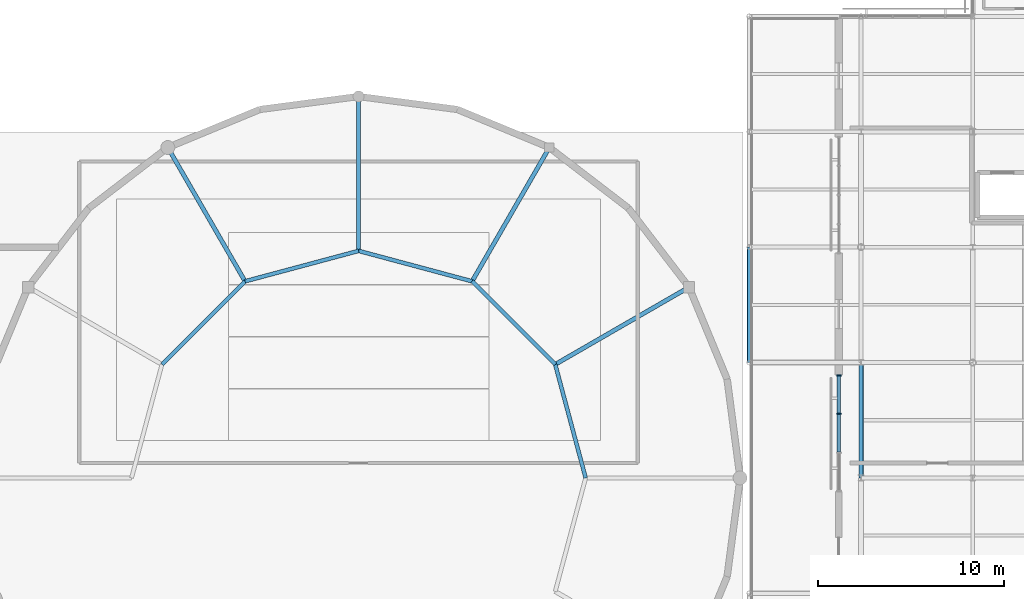
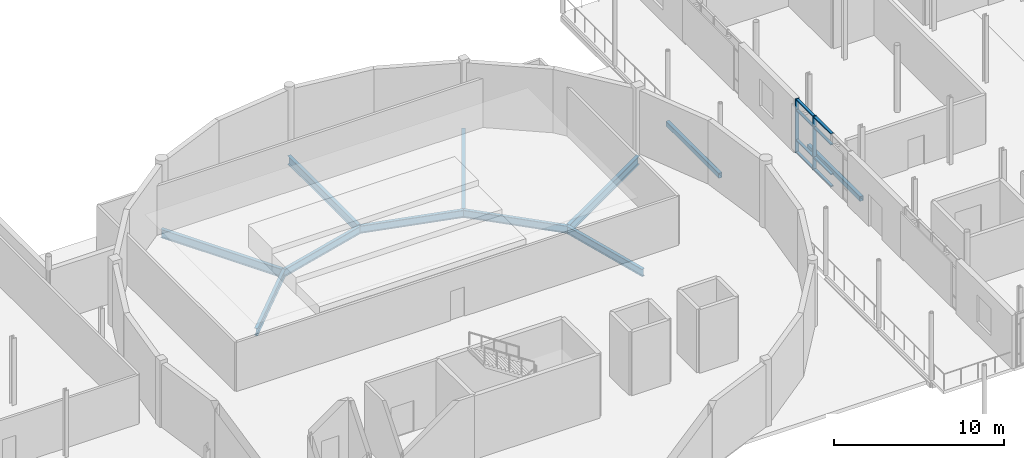
# One storey, part 33 of 84: 11 beams, 10 members, 1 element without a shape of its own.
"""IFC4 building model written with IfcOpenShell, lengths in metres."""

from ifc_helpers import new_model, si_unit, direction, frame, origin, origin_2d, place, context, subcontext, project, spatial, rectangle, hollow_rectangle, i_section, extrude, material, layer, layer_set, material_profile, profile_set, type_object, element, aggregate, save


model = new_model("IFC4")

# Units and contexts
model_context = context("Model", 3, precision=1e-05, world=origin(), true_north=direction((0.0, 1.0)))
body_context = subcontext(model_context, "Body", "Model", "MODEL_VIEW")
ifc_project = project(units=[si_unit("LENGTHUNIT", "METRE"), si_unit("AREAUNIT", "SQUARE_METRE"), si_unit("VOLUMEUNIT", "CUBIC_METRE"), si_unit("PLANEANGLEUNIT", "RADIAN"), si_unit("MASSUNIT", "GRAM", prefix="KILO")], contexts=[model_context])

# Site, building, storey
site_placement = place(None, origin())
site = spatial("IfcSite", under=ifc_project, at=site_placement, CompositionType="ELEMENT")
building_placement = place(site_placement, origin())
building = spatial("IfcBuilding", under=site, at=building_placement, Name="Mirzam Square Science Centre", CompositionType="ELEMENT")
storey_placement = place(building_placement, frame((0.0, 0.0, 10.800048828125)))
storey = spatial("IfcBuildingStorey", under=building, at=storey_placement, Name="L02", CompositionType="ELEMENT", Elevation=10.800048828125)

# Beams
ifc_material_1 = material(Name="Steel S355", Category="steel")
ifc_material_profile_1 = material_profile(ifc_material_1, i_section(OverallWidth=0.2099609375, OverallDepth=0.53662109375, WebThickness=0.0107421875, FlangeThickness=0.017333984375, FilletRadius=0.0126953125, at=origin_2d()), Name="533x210x101UB")
ifc_profile_set_1 = profile_set([ifc_material_profile_1], Name="Steel S355")
beam_type_1 = type_object("IfcBeamType", Name="BM-UB533", PredefinedType="BEAM", material=ifc_profile_set_1)
beam_1_placement = place(storey_placement, frame((93.199951171875, 62.0, -0.54833984375), z_axis=(-0.25881981979, 0.965925618712, 0.0), x_axis=(-0.965925618712, -0.25881981979, 0.0)))
element("IfcBeam", 1, at=beam_1_placement, inside=storey, type_object=beam_type_1, Name="L02 inner drum ring girder 01", PredefinedType="BEAM", context=body_context, shape_type="SweptSolid", body=[
    extrude(i_section(OverallWidth=0.2099609375, OverallDepth=0.53662109375, WebThickness=0.0107421875, FlangeThickness=0.017333984375, FilletRadius=0.0126953125, at=origin_2d()), origin(), (0.0, 0.0, 1.0), 6.315185546875),
])
beam_2_placement = place(storey_placement, frame((91.5654296875, 68.10009765625, -0.54833984375), z_axis=(-0.707106781187, 0.707106781187, 0.0), x_axis=(-0.707106781187, -0.707106781187, 0.0)))
element("IfcBeam", 2, at=beam_2_placement, inside=storey, type_object=beam_type_1, Name="L02 inner drum ring girder 02", PredefinedType="BEAM", context=body_context, shape_type="SweptSolid", body=[
    extrude(i_section(OverallWidth=0.2099609375, OverallDepth=0.53662109375, WebThickness=0.0107421875, FlangeThickness=0.017333984375, FilletRadius=0.0126953125, at=origin_2d()), origin(), (0.0, 0.0, 1.0), 6.31494140625),
])
for number, where, z_axis, x_axis, name in (
    (3, (87.10009765625, 72.5654296875, -0.54833984375), (-0.965925618712, 0.25881981979, 0.0), (-0.25881981979, -0.965925618712, 0.0), "L02 inner drum ring girder 03"),
    (4, (81.0, 74.199951171875, -0.54833984375), (-0.965925618712, -0.25881981979, 0.0), (0.25881981979, -0.965925618712, 0.0), "L02 inner drum ring girder 04"),
):
    element("IfcBeam", number, at=place(storey_placement, frame(where, z_axis=z_axis, x_axis=x_axis)), inside=storey, type_object=beam_type_1, Name=name, PredefinedType="BEAM", context=body_context, shape_type="SweptSolid", body=[
        extrude(i_section(OverallWidth=0.2099609375, OverallDepth=0.53662109375, WebThickness=0.0107421875, FlangeThickness=0.017333984375, FilletRadius=0.0126953125, at=origin_2d()), origin(), (0.0, 0.0, 1.0), 6.315185546875),
    ])
beam_3_placement = place(storey_placement, frame((74.89990234375, 72.5654296875, -0.54833984375), z_axis=(-0.707106781187, -0.707106781187, 0.0), x_axis=(0.707106781187, -0.707106781187, 0.0)))
element("IfcBeam", 5, at=beam_3_placement, inside=storey, type_object=beam_type_1, Name="L02 inner drum ring girder 05", PredefinedType="BEAM", context=body_context, shape_type="SweptSolid", body=[
    extrude(i_section(OverallWidth=0.2099609375, OverallDepth=0.53662109375, WebThickness=0.0107421875, FlangeThickness=0.017333984375, FilletRadius=0.0126953125, at=origin_2d()), origin(), (0.0, 0.0, 1.0), 6.31494140625),
])
ifc_material_profile_2 = material_profile(ifc_material_1, i_section(OverallWidth=0.22900390625, OverallDepth=0.6123046875, WebThickness=0.011962890625, FlangeThickness=0.01953125, FilletRadius=0.0126953125, at=origin_2d()), Name="610x229x125UB")
ifc_profile_set_2 = profile_set([ifc_material_profile_2], Name="Steel S355")
beam_type_2 = type_object("IfcBeamType", Name="BM-UB610", PredefinedType="BEAM", material=ifc_profile_set_2)
for number, where, z_axis, x_axis, name in (
    (6, (91.5654296875, 68.10009765625, -0.586181640625), (0.86602981871, 0.499992353047, 0.0), (-0.499992353047, 0.86602981871, 0.0), "L02 drum radial girder 02"),
    (7, (87.10009765625, 72.5654296875, -0.586181640625), (0.499992353047, 0.86602981871, 0.0), (-0.86602981871, 0.499992353047, 0.0), "L02 drum radial girder 03"),
    (8, (81.0, 74.199951171875, -0.586181640625), (0.0, 1.0, 0.0), (-1.0, 0.0, 0.0), "L02 drum radial girder 04"),
    (9, (74.89990234375, 72.5654296875, -0.586181640625), (-0.499992353047, 0.86602981871, 0.0), (-0.86602981871, -0.499992353047, 0.0), "L02 drum radial girder 05"),
):
    element("IfcBeam", number, at=place(storey_placement, frame(where, z_axis=z_axis, x_axis=x_axis)), inside=storey, type_object=beam_type_2, Name=name, PredefinedType="BEAM", context=body_context, shape_type="SweptSolid", body=[
        extrude(i_section(OverallWidth=0.22900390625, OverallDepth=0.6123046875, WebThickness=0.011962890625, FlangeThickness=0.01953125, FilletRadius=0.0126953125, at=origin_2d()), origin(), (0.0, 0.0, 1.0), 8.300048828125),
    ])

# Curtain wall, members
ifc_material_2 = material(Name="Anodised Aluminium and Low-E Solar Glass", Category="aluminium")
ifc_layer = layer(ifc_material_2, 0.239990234375)
ifc_layer_set = layer_set([ifc_layer], Name="CW-EAST-B")
curtain_wall_type = type_object("IfcCurtainWallType", Name="CW-EAST-B", PredefinedType="USERDEFINED", material=ifc_layer_set)
curtain_wall_placement = place(storey_placement, origin())
curtain_wall = element("IfcCurtainWall", 10, at=curtain_wall_placement, inside=storey, type_object=curtain_wall_type, Name="L02 unitised curtain wall 111", ObjectType="UNITISED CURTAIN WALL", PredefinedType="USERDEFINED")
ifc_material_3 = material(Name="Anodised Architectural Aluminium 6063-T6", Category="aluminium")
ifc_material_profile_3 = material_profile(ifc_material_3, rectangle(XDim=0.074951171875, YDim=0.239990234375, at=origin_2d()), Name="ALU-MULL-240x75x5")
ifc_profile_set_3 = profile_set([ifc_material_profile_3], Name="Anodised Architectural Aluminium 6063-T6")
member_type_1 = type_object("IfcMemberType", Name="CWM-240", PredefinedType="MULLION", material=ifc_profile_set_3)
member_1_placement = place(storey_placement, frame((106.800048828125, 67.507568359375, 0.0), z_axis=(0.0, 0.0, 1.0), x_axis=(0.0, -1.0, 0.0)))
member_1 = element("IfcMember", 11, at=member_1_placement, type_object=member_type_1, Name="CW-06 mullion 1", PredefinedType="MULLION", context=body_context, shape_type="SweptSolid", body=[
    extrude(rectangle(XDim=0.074951171875, YDim=0.239990234375, at=origin_2d()), origin(), (0.0, 0.0, 1.0), 3.83984375),
])
member_2_placement = place(storey_placement, frame((106.800048828125, 65.4482421875, 0.0), z_axis=(0.0, 0.0, 1.0), x_axis=(0.0, -1.0, 0.0)))
member_2 = element("IfcMember", 12, at=member_2_placement, type_object=member_type_1, Name="CW-06 mullion 2", PredefinedType="MULLION", context=body_context, shape_type="SweptSolid", body=[
    extrude(rectangle(XDim=0.074951171875, YDim=0.239990234375, at=origin_2d()), origin(), (0.0, 0.0, 1.0), 3.83984375),
])
ifc_material_profile_4 = material_profile(ifc_material_3, rectangle(XDim=0.179931640625, YDim=0.074951171875, at=origin_2d()), Name="ALU-TRAN-180x75x5")
ifc_profile_set_4 = profile_set([ifc_material_profile_4], Name="Anodised Architectural Aluminium 6063-T6")
member_type_2 = type_object("IfcMemberType", Name="CWT-180", PredefinedType="USERDEFINED", material=ifc_profile_set_4)
member_3_placement = place(storey_placement, frame((106.800048828125, 67.469970703125, 0.037353515625), z_axis=(0.0, -1.0, 0.0), x_axis=(1.0, 0.0, 0.0)))
member_3 = element("IfcMember", 13, at=member_3_placement, type_object=member_type_2, Name="CW-06 transom 1.1", ObjectType="TRANSOM", PredefinedType="USERDEFINED", context=body_context, shape_type="SweptSolid", body=[
    extrude(rectangle(XDim=0.179931640625, YDim=0.074951171875, at=origin_2d()), origin(), (0.0, 0.0, 1.0), 1.984130859375),
])
member_4_placement = place(storey_placement, frame((106.800048828125, 67.469970703125, 0.89990234375), z_axis=(0.0, -1.0, 0.0), x_axis=(1.0, 0.0, 0.0)))
member_4 = element("IfcMember", 14, at=member_4_placement, type_object=member_type_2, Name="CW-06 transom 1.2", ObjectType="TRANSOM", PredefinedType="USERDEFINED", context=body_context, shape_type="SweptSolid", body=[
    extrude(rectangle(XDim=0.179931640625, YDim=0.074951171875, at=origin_2d()), origin(), (0.0, 0.0, 1.0), 1.984130859375),
])
member_5_placement = place(storey_placement, frame((106.800048828125, 67.469970703125, 3.0400390625), z_axis=(0.0, -1.0, 0.0), x_axis=(1.0, 0.0, 0.0)))
member_5 = element("IfcMember", 15, at=member_5_placement, type_object=member_type_2, Name="CW-06 transom 1.3", ObjectType="TRANSOM", PredefinedType="USERDEFINED", context=body_context, shape_type="SweptSolid", body=[
    extrude(rectangle(XDim=0.179931640625, YDim=0.074951171875, at=origin_2d()), origin(), (0.0, 0.0, 1.0), 1.984130859375),
])
member_6_placement = place(storey_placement, frame((106.800048828125, 67.469970703125, 3.802490234375), z_axis=(0.0, -1.0, 0.0), x_axis=(1.0, 0.0, 0.0)))
member_6 = element("IfcMember", 16, at=member_6_placement, type_object=member_type_2, Name="CW-06 transom 1.4", ObjectType="TRANSOM", PredefinedType="USERDEFINED", context=body_context, shape_type="SweptSolid", body=[
    extrude(rectangle(XDim=0.179931640625, YDim=0.074951171875, at=origin_2d()), origin(), (0.0, 0.0, 1.0), 1.984130859375),
])
member_7_placement = place(storey_placement, frame((106.800048828125, 65.410888671875, 0.037353515625), z_axis=(0.0, -1.0, 0.0), x_axis=(1.0, 0.0, 0.0)))
member_7 = element("IfcMember", 17, at=member_7_placement, type_object=member_type_2, Name="CW-06 transom 2.1", ObjectType="TRANSOM", PredefinedType="USERDEFINED", context=body_context, shape_type="SweptSolid", body=[
    extrude(rectangle(XDim=0.179931640625, YDim=0.074951171875, at=origin_2d()), origin(), (0.0, 0.0, 1.0), 2.021728515625),
])
member_8_placement = place(storey_placement, frame((106.800048828125, 65.410888671875, 0.89990234375), z_axis=(0.0, -1.0, 0.0), x_axis=(1.0, 0.0, 0.0)))
member_8 = element("IfcMember", 18, at=member_8_placement, type_object=member_type_2, Name="CW-06 transom 2.2", ObjectType="TRANSOM", PredefinedType="USERDEFINED", context=body_context, shape_type="SweptSolid", body=[
    extrude(rectangle(XDim=0.179931640625, YDim=0.074951171875, at=origin_2d()), origin(), (0.0, 0.0, 1.0), 2.021728515625),
])
member_9_placement = place(storey_placement, frame((106.800048828125, 65.410888671875, 3.0400390625), z_axis=(0.0, -1.0, 0.0), x_axis=(1.0, 0.0, 0.0)))
member_9 = element("IfcMember", 19, at=member_9_placement, type_object=member_type_2, Name="CW-06 transom 2.3", ObjectType="TRANSOM", PredefinedType="USERDEFINED", context=body_context, shape_type="SweptSolid", body=[
    extrude(rectangle(XDim=0.179931640625, YDim=0.074951171875, at=origin_2d()), origin(), (0.0, 0.0, 1.0), 2.021728515625),
])
member_10_placement = place(storey_placement, frame((106.800048828125, 65.410888671875, 3.802490234375), z_axis=(0.0, -1.0, 0.0), x_axis=(1.0, 0.0, 0.0)))
member_10 = element("IfcMember", 20, at=member_10_placement, type_object=member_type_2, Name="CW-06 transom 2.4", ObjectType="TRANSOM", PredefinedType="USERDEFINED", context=body_context, shape_type="SweptSolid", body=[
    extrude(rectangle(XDim=0.179931640625, YDim=0.074951171875, at=origin_2d()), origin(), (0.0, 0.0, 1.0), 2.021728515625),
])
aggregate(curtain_wall, [member_1, member_2, member_3, member_4, member_5, member_6, member_7, member_8, member_9, member_10])

# Beams
ifc_material_profile_5 = material_profile(ifc_material_1, hollow_rectangle(XDim=0.25, YDim=0.35009765625, WallThickness=0.012451171875, InnerFilletRadius=0.012451171875, OuterFilletRadius=0.02490234375, at=origin_2d()), Name="350x250x12.5RHS")
ifc_profile_set_5 = profile_set([ifc_material_profile_5], Name="Steel S355")
beam_type_3 = type_object("IfcBeamType", Name="SP-RHS350", PredefinedType="SPANDREL", material=ifc_profile_set_5)
for number, where, z_axis, x_axis, name in (
    (21, (102.0, 68.199951171875, -0.425048828125), (0.0, 1.0, 0.0), (-1.0, 0.0, 0.0), "L02 girder Y18-12"),
    (22, (108.0, 62.0, -0.425048828125), (0.0, 1.0, 0.0), (-1.0, 0.0, 0.0), "L02 girder Y19-11"),
):
    element("IfcBeam", number, at=place(storey_placement, frame(where, z_axis=z_axis, x_axis=x_axis)), inside=storey, type_object=beam_type_3, Name=name, PredefinedType="SPANDREL", context=body_context, shape_type="SweptSolid", body=[
        extrude(hollow_rectangle(XDim=0.25, YDim=0.35009765625, WallThickness=0.012451171875, InnerFilletRadius=0.012451171875, OuterFilletRadius=0.02490234375, at=origin_2d()), origin(), (0.0, 0.0, 1.0), 6.199951171875),
    ])

save(model, "model.ifc")
